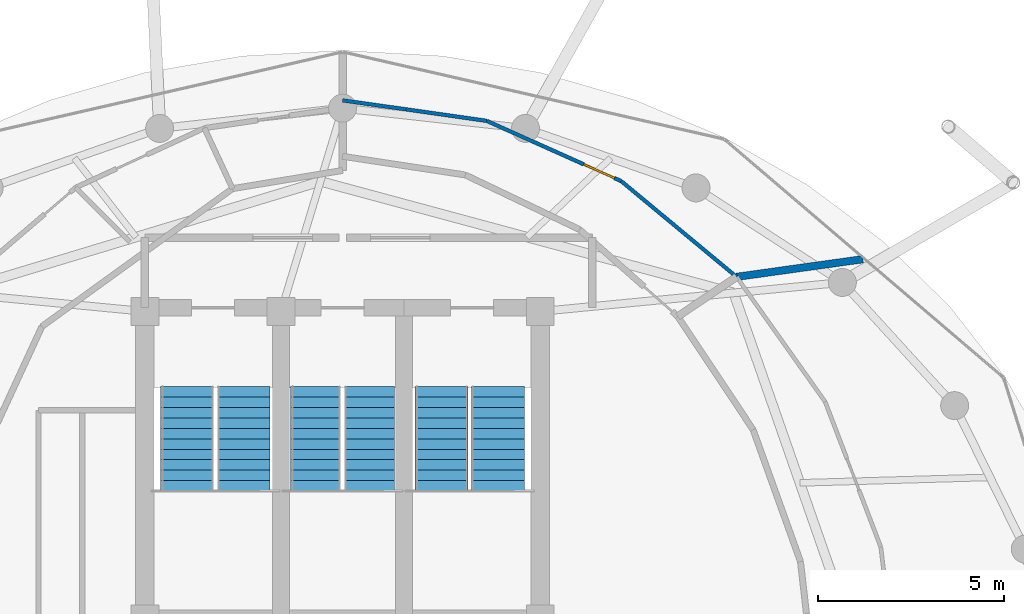
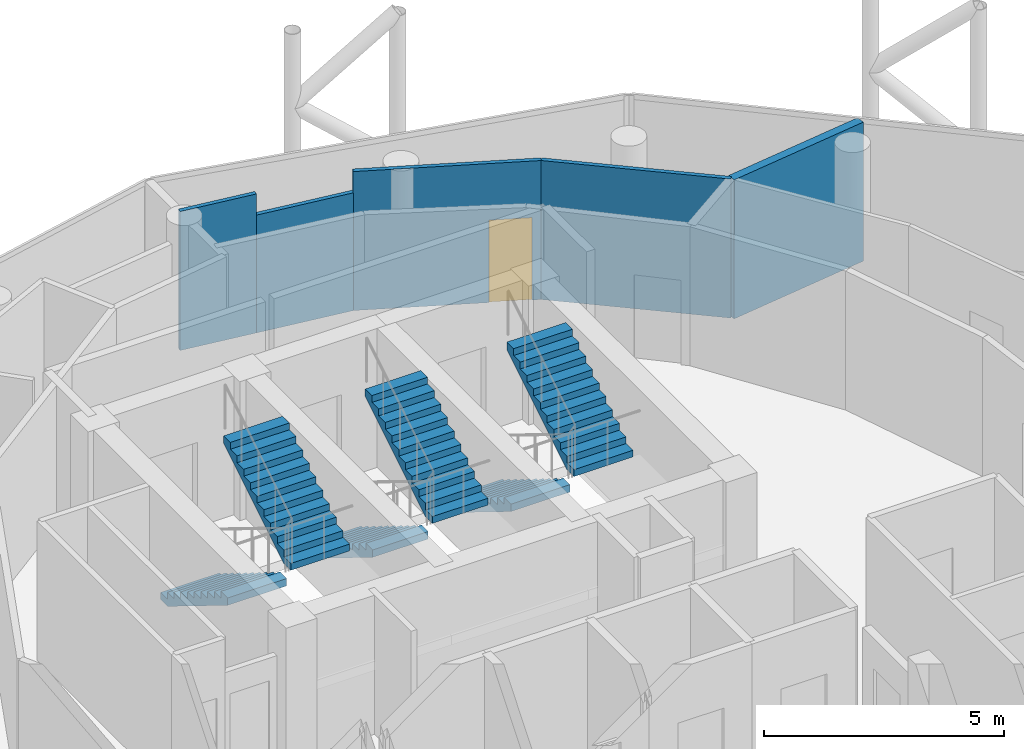
# One storey, part 23 of 24: 6 stair flights, 5 walls, 1 door, 1 opening, 3 elements without a shape of their own.
"""IFC4 building model written with IfcOpenShell, lengths in metres."""

from ifc_helpers import new_model, si_unit, direction, frame, frame_2d, origin, place, context, subcontext, project, spatial, polyline, rectangle, outline, extrude, material, layer, layer_set, type_object, element, fill, aggregate, save


model = new_model("IFC4")

# Units and contexts
model_context = context("Model", 3, precision=1e-05, world=origin(), true_north=direction((0.0, 1.0)))
body_context = subcontext(model_context, "Body", "Model", "MODEL_VIEW")
ifc_project = project(units=[si_unit("LENGTHUNIT", "METRE"), si_unit("AREAUNIT", "SQUARE_METRE"), si_unit("VOLUMEUNIT", "CUBIC_METRE"), si_unit("PLANEANGLEUNIT", "RADIAN"), si_unit("MASSUNIT", "GRAM", prefix="KILO")], contexts=[model_context])

# Site, building, storey
site_placement = place(None, origin())
site = spatial("IfcSite", under=ifc_project, at=site_placement, CompositionType="ELEMENT")
building_placement = place(site_placement, origin())
building = spatial("IfcBuilding", under=site, at=building_placement, Name="Nuhasar Tower", CompositionType="ELEMENT")
storey_placement = place(building_placement, frame((0.0, 0.0, 267.0)))
storey = spatial("IfcBuildingStorey", under=building, at=storey_placement, Name="L66", CompositionType="ELEMENT", Elevation=267.0)

# Wall
ifc_material_1 = material(Name="Aluminium 6063-T6", Category="aluminium")
ifc_layer_1 = layer(ifc_material_1, 0.10009765625)
ifc_layer_set_1 = layer_set([ifc_layer_1], Name="Aluminium 6063-T6")
wall_type_1 = type_object("IfcWallType", Name="WL-MOVABLE-100", PredefinedType="MOVABLE", material=ifc_layer_set_1)
wall_1_placement = place(storey_placement, frame((49.56396484375, 38.22705078125, 0.0), z_axis=(0.0, 0.0, 1.0), x_axis=(-0.769498838344, 0.638648211292, 0.0)))
element("IfcWall", 1, at=wall_1_placement, inside=storey, type_object=wall_type_1, Name="L66 Interior Partition UMID5-04-06", PredefinedType="MOVABLE", context=body_context, shape_type="SweptSolid", body=[
    extrude(rectangle(XDim=4.020751953125, YDim=0.10009765625, at=frame_2d((2.01025390625, 0.0))), origin(), (0.0, 0.0, 1.0), 3.5400390625),
])

# Wall, opening, door
wall_2_placement = place(storey_placement, frame((46.469970703125, 40.794921875, 0.0), z_axis=(0.0, 0.0, 1.0), x_axis=(-0.912616745569, 0.408816188166, 0.0)))
wall_2 = element("IfcWall", 2, at=wall_2_placement, inside=storey, type_object=wall_type_1, Name="L66 Interior Partition UMID5-04-08", PredefinedType="MOVABLE", context=body_context, shape_type="SweptSolid", body=[
    extrude(rectangle(XDim=3.947998046875, YDim=0.10009765625, at=frame_2d((1.97412109375, 0.0))), origin(), (0.0, 0.0, 1.0), 3.5400390625),
])
opening_placement = place(wall_2_placement, frame((0.199951171875, 0.0, 0.0)))
opening = element("IfcOpeningElement", 3, at=opening_placement, cuts=wall_2, Name="Opening DR-01", PredefinedType="OPENING", context=body_context, shape_type="SweptSolid", body=[
    extrude(rectangle(XDim=0.89990234375, YDim=2.10009765625, at=frame_2d((0.449951171875, 1.050048828125))), frame((0.0, 0.06005859375, 0.0), z_axis=(0.0, -1.0, 0.0), x_axis=(1.0, 0.0, 0.0)), (0.0, 0.0, 1.0), 0.1201171875),
])
ifc_material_2 = material(Name="Timber Oak", Category="wood")
door_type = type_object("IfcDoorType", Name="DR-ROOM-900", OperationType="NOTDEFINED", PredefinedType="DOOR", material=ifc_material_2)
door_placement = place(opening_placement, origin())
door = element("IfcDoor", 4, at=door_placement, inside=storey, type_object=door_type, Name="L66 Diplomatic Briefing Room Inner Door", OperationType="SINGLE_SWING_LEFT", OverallHeight=2.10009765625, OverallWidth=0.89990234375, PredefinedType="DOOR", context=body_context, shape_type="SweptSolid", body=[
    extrude(rectangle(XDim=0.89990234375, YDim=2.10009765625, at=frame_2d((0.449951171875, 1.050048828125))), frame((0.0, 0.02490234375, 0.0), z_axis=(0.0, -1.0, 0.0), x_axis=(1.0, 0.0, 0.0)), (0.0, 0.0, 1.0), 0.050048828125),
])
fill(opening, door)

# Walls
wall_3_placement = place(storey_placement, frame((42.866943359375, 42.408935546875, 0.0), z_axis=(0.0, 0.0, 1.0), x_axis=(-0.989971798103, 0.141265137105, 0.0)))
element("IfcWall", 5, at=wall_3_placement, inside=storey, type_object=wall_type_1, Name="L66 Interior Partition UMID5-04-10", PredefinedType="MOVABLE", context=body_context, shape_type="SweptSolid", body=[
    extrude(rectangle(XDim=2.18798828125, YDim=0.10009765625, at=frame_2d((1.093994140625, 0.0))), origin(), (0.0, 0.0, 1.0), 3.0),
])
wall_4_placement = place(storey_placement, frame((40.700927734375, 42.718017578125, 0.0), z_axis=(0.0, 0.0, 1.0), x_axis=(-0.990034575803, 0.140824496142, 0.0)))
element("IfcWall", 6, at=wall_4_placement, inside=storey, type_object=wall_type_1, Name="L66 Interior Partition UMID5-04-10", PredefinedType="MOVABLE", context=body_context, shape_type="SweptSolid", body=[
    extrude(rectangle(XDim=1.718017578125, YDim=0.10009765625, at=frame_2d((0.85888671875, 0.0))), origin(), (0.0, 0.0, 1.0), 3.5400390625),
])
ifc_material_3 = material(Name="Concrete C40/50 precast", Category="concrete")
ifc_layer_2 = layer(ifc_material_3, 0.199951171875)
ifc_layer_set_2 = layer_set([ifc_layer_2], Name="Concrete C40/50 precast")
wall_type_2 = type_object("IfcWallType", Name="WL-UNIT-200", PredefinedType="PARTITIONING", material=ifc_layer_set_2)
wall_5_placement = place(storey_placement, frame((49.56396484375, 38.22705078125, 0.0), z_axis=(0.0, 0.0, 1.0), x_axis=(0.990353701526, 0.138562425911, 0.0)))
element("IfcWall", 7, at=wall_5_placement, inside=storey, type_object=wall_type_2, Name="L66 Interior Partition URAD5-06-S2", PredefinedType="PARTITIONING", context=body_context, shape_type="SweptSolid", body=[
    extrude(rectangle(XDim=3.419921875, YDim=0.199951171875, at=frame_2d((1.7099609375, 0.0))), origin(), (0.0, 0.0, 1.0), 3.5400390625),
])

# Stair, stair flights
ifc_material_4 = material(Name="Concrete C45/55", Category="concrete")
stair_type_1 = type_object("IfcStairType", Name="STR-ST-01-2F-22R-1727", PredefinedType="HALF_TURN_STAIR", material=ifc_material_4)
stair_1_placement = place(storey_placement, origin())
stair_1 = element("IfcStair", 8, at=stair_1_placement, inside=storey, type_object=stair_type_1, Name="L66 Exit Stair ST-01", PredefinedType="HALF_TURN_STAIR")
stair_flight_type_1 = type_object("IfcStairFlightType", Name="SFL-ST-01-11R-1727", PredefinedType="STRAIGHT", material=ifc_material_4)
stair_flight_1_placement = place(storey_placement, frame((34.830078125, 35.284912109375, 0.0), z_axis=(0.0, 0.0, 1.0), x_axis=(0.0, -1.0, 0.0)))
stair_flight_1 = element("IfcStairFlight", 9, at=stair_flight_1_placement, type_object=stair_flight_type_1, Name="ST-01 flight 1", NumberOfRisers=11, NumberOfTreads=10, PredefinedType="STRAIGHT", RiserHeight=0.172727, TreadLength=0.28, context=body_context, shape_type="SweptSolid", body=[
    extrude(outline(polyline([(0.0, 0.0), (0.0, 0.172607421875), (0.280029296875, 0.172607421875), (0.280029296875, 0.345458984375), (0.56005859375, 0.345458984375), (0.56005859375, 0.51806640625), (0.840087890625, 0.51806640625), (0.840087890625, 0.69091796875), (1.1201171875, 0.69091796875), (1.1201171875, 0.863525390625), (1.39990234375, 0.863525390625), (1.39990234375, 1.036376953125), (1.679931640625, 1.036376953125), (1.679931640625, 1.208984375), (1.9599609375, 1.208984375), (1.9599609375, 1.3818359375), (2.239990234375, 1.3818359375), (2.239990234375, 1.554443359375), (2.52001953125, 1.554443359375), (2.52001953125, 1.727294921875), (2.800048828125, 1.727294921875), (2.800048828125, 1.89990234375), (2.800048828125, 1.539306640625), (0.3046875, 0.0), (0.0, 0.0)])), frame((0.0, 0.7099609375, 0.0), z_axis=(0.0, -1.0, 0.0), x_axis=(1.0, 0.0, 0.0)), (0.0, 0.0, 1.0), 1.419921875),
])
stair_flight_2_placement = place(storey_placement, frame((36.35009765625, 32.485107421875, 1.89990234375), z_axis=(0.0, 0.0, 1.0), x_axis=(0.0, 1.0, 0.0)))
stair_flight_2 = element("IfcStairFlight", 10, at=stair_flight_2_placement, type_object=stair_flight_type_1, Name="ST-01 flight 2", NumberOfRisers=11, NumberOfTreads=10, PredefinedType="STRAIGHT", RiserHeight=0.172727, TreadLength=0.28, context=body_context, shape_type="SweptSolid", body=[
    extrude(outline(polyline([(0.0, 0.0), (0.0, 0.172607421875), (0.280029296875, 0.172607421875), (0.280029296875, 0.345458984375), (0.56005859375, 0.345458984375), (0.56005859375, 0.51806640625), (0.840087890625, 0.51806640625), (0.840087890625, 0.69091796875), (1.1201171875, 0.69091796875), (1.1201171875, 0.863525390625), (1.39990234375, 0.863525390625), (1.39990234375, 1.036376953125), (1.679931640625, 1.036376953125), (1.679931640625, 1.208984375), (1.9599609375, 1.208984375), (1.9599609375, 1.3818359375), (2.239990234375, 1.3818359375), (2.239990234375, 1.554443359375), (2.52001953125, 1.554443359375), (2.52001953125, 1.727294921875), (2.800048828125, 1.727294921875), (2.800048828125, 1.89990234375), (2.800048828125, 1.539306640625), (0.3046875, 0.0), (0.0, 0.0)])), frame((0.0, 0.7099609375, 0.0), z_axis=(0.0, -1.0, 0.0), x_axis=(1.0, 0.0, 0.0)), (0.0, 0.0, 1.0), 1.419921875),
])
aggregate(stair_1, [stair_flight_1, stair_flight_2])

stair_type_2 = type_object("IfcStairType", Name="STR-ST-02-2F-22R-1727", PredefinedType="HALF_TURN_STAIR", material=ifc_material_4)
stair_2_placement = place(storey_placement, origin())
stair_2 = element("IfcStair", 11, at=stair_2_placement, inside=storey, type_object=stair_type_2, Name="L66 Exit Stair ST-02", PredefinedType="HALF_TURN_STAIR")
stair_flight_type_2 = type_object("IfcStairFlightType", Name="SFL-ST-02-11R-1727", PredefinedType="STRAIGHT", material=ifc_material_4)
stair_flight_3_placement = place(storey_placement, frame((41.64990234375, 35.284912109375, 0.0), z_axis=(0.0, 0.0, 1.0), x_axis=(0.0, -1.0, 0.0)))
stair_flight_3 = element("IfcStairFlight", 12, at=stair_flight_3_placement, type_object=stair_flight_type_2, Name="ST-02 flight 1", NumberOfRisers=11, NumberOfTreads=10, PredefinedType="STRAIGHT", RiserHeight=0.172727, TreadLength=0.28, context=body_context, shape_type="SweptSolid", body=[
    extrude(outline(polyline([(0.0, 0.0), (0.0, 0.172607421875), (0.280029296875, 0.172607421875), (0.280029296875, 0.345458984375), (0.56005859375, 0.345458984375), (0.56005859375, 0.51806640625), (0.840087890625, 0.51806640625), (0.840087890625, 0.69091796875), (1.1201171875, 0.69091796875), (1.1201171875, 0.863525390625), (1.39990234375, 0.863525390625), (1.39990234375, 1.036376953125), (1.679931640625, 1.036376953125), (1.679931640625, 1.208984375), (1.9599609375, 1.208984375), (1.9599609375, 1.3818359375), (2.239990234375, 1.3818359375), (2.239990234375, 1.554443359375), (2.52001953125, 1.554443359375), (2.52001953125, 1.727294921875), (2.800048828125, 1.727294921875), (2.800048828125, 1.89990234375), (2.800048828125, 1.539306640625), (0.3046875, 0.0), (0.0, 0.0)])), frame((0.0, 0.7099609375, 0.0), z_axis=(0.0, -1.0, 0.0), x_axis=(1.0, 0.0, 0.0)), (0.0, 0.0, 1.0), 1.419921875),
])
stair_flight_4_placement = place(storey_placement, frame((43.169921875, 32.485107421875, 1.89990234375), z_axis=(0.0, 0.0, 1.0), x_axis=(0.0, 1.0, 0.0)))
stair_flight_4 = element("IfcStairFlight", 13, at=stair_flight_4_placement, type_object=stair_flight_type_2, Name="ST-02 flight 2", NumberOfRisers=11, NumberOfTreads=10, PredefinedType="STRAIGHT", RiserHeight=0.172727, TreadLength=0.28, context=body_context, shape_type="SweptSolid", body=[
    extrude(outline(polyline([(0.0, 0.0), (0.0, 0.172607421875), (0.280029296875, 0.172607421875), (0.280029296875, 0.345458984375), (0.56005859375, 0.345458984375), (0.56005859375, 0.51806640625), (0.840087890625, 0.51806640625), (0.840087890625, 0.69091796875), (1.1201171875, 0.69091796875), (1.1201171875, 0.863525390625), (1.39990234375, 0.863525390625), (1.39990234375, 1.036376953125), (1.679931640625, 1.036376953125), (1.679931640625, 1.208984375), (1.9599609375, 1.208984375), (1.9599609375, 1.3818359375), (2.239990234375, 1.3818359375), (2.239990234375, 1.554443359375), (2.52001953125, 1.554443359375), (2.52001953125, 1.727294921875), (2.800048828125, 1.727294921875), (2.800048828125, 1.89990234375), (2.800048828125, 1.539306640625), (0.3046875, 0.0), (0.0, 0.0)])), frame((0.0, 0.7099609375, 0.0), z_axis=(0.0, -1.0, 0.0), x_axis=(1.0, 0.0, 0.0)), (0.0, 0.0, 1.0), 1.419921875),
])
aggregate(stair_2, [stair_flight_3, stair_flight_4])

stair_type_3 = type_object("IfcStairType", Name="STR-ST-03-2F-22R-1727", PredefinedType="HALF_TURN_STAIR", material=ifc_material_4)
stair_3_placement = place(storey_placement, origin())
stair_3 = element("IfcStair", 14, at=stair_3_placement, inside=storey, type_object=stair_type_3, Name="L66 Exit Stair ST-03", PredefinedType="HALF_TURN_STAIR")
stair_flight_type_3 = type_object("IfcStairFlightType", Name="SFL-ST-03-11R-1727", PredefinedType="STRAIGHT", material=ifc_material_4)
stair_flight_5_placement = place(storey_placement, frame((38.280029296875, 35.284912109375, 0.0), z_axis=(0.0, 0.0, 1.0), x_axis=(0.0, -1.0, 0.0)))
stair_flight_5 = element("IfcStairFlight", 15, at=stair_flight_5_placement, type_object=stair_flight_type_3, Name="ST-03 flight 1", NumberOfRisers=11, NumberOfTreads=10, PredefinedType="STRAIGHT", RiserHeight=0.172727, TreadLength=0.28, context=body_context, shape_type="SweptSolid", body=[
    extrude(outline(polyline([(0.0, 0.0), (0.0, 0.172607421875), (0.280029296875, 0.172607421875), (0.280029296875, 0.345458984375), (0.56005859375, 0.345458984375), (0.56005859375, 0.51806640625), (0.840087890625, 0.51806640625), (0.840087890625, 0.69091796875), (1.1201171875, 0.69091796875), (1.1201171875, 0.863525390625), (1.39990234375, 0.863525390625), (1.39990234375, 1.036376953125), (1.679931640625, 1.036376953125), (1.679931640625, 1.208984375), (1.9599609375, 1.208984375), (1.9599609375, 1.3818359375), (2.239990234375, 1.3818359375), (2.239990234375, 1.554443359375), (2.52001953125, 1.554443359375), (2.52001953125, 1.727294921875), (2.800048828125, 1.727294921875), (2.800048828125, 1.89990234375), (2.800048828125, 1.539306640625), (0.3046875, 0.0), (0.0, 0.0)])), frame((0.0, 0.669921875, 0.0), z_axis=(0.0, -1.0, 0.0), x_axis=(1.0, 0.0, 0.0)), (0.0, 0.0, 1.0), 1.340087890625),
])
stair_flight_6_placement = place(storey_placement, frame((39.719970703125, 32.485107421875, 1.89990234375), z_axis=(0.0, 0.0, 1.0), x_axis=(0.0, 1.0, 0.0)))
stair_flight_6 = element("IfcStairFlight", 16, at=stair_flight_6_placement, type_object=stair_flight_type_3, Name="ST-03 flight 2", NumberOfRisers=11, NumberOfTreads=10, PredefinedType="STRAIGHT", RiserHeight=0.172727, TreadLength=0.28, context=body_context, shape_type="SweptSolid", body=[
    extrude(outline(polyline([(0.0, 0.0), (0.0, 0.172607421875), (0.280029296875, 0.172607421875), (0.280029296875, 0.345458984375), (0.56005859375, 0.345458984375), (0.56005859375, 0.51806640625), (0.840087890625, 0.51806640625), (0.840087890625, 0.69091796875), (1.1201171875, 0.69091796875), (1.1201171875, 0.863525390625), (1.39990234375, 0.863525390625), (1.39990234375, 1.036376953125), (1.679931640625, 1.036376953125), (1.679931640625, 1.208984375), (1.9599609375, 1.208984375), (1.9599609375, 1.3818359375), (2.239990234375, 1.3818359375), (2.239990234375, 1.554443359375), (2.52001953125, 1.554443359375), (2.52001953125, 1.727294921875), (2.800048828125, 1.727294921875), (2.800048828125, 1.89990234375), (2.800048828125, 1.539306640625), (0.3046875, 0.0), (0.0, 0.0)])), frame((0.0, 0.669921875, 0.0), z_axis=(0.0, -1.0, 0.0), x_axis=(1.0, 0.0, 0.0)), (0.0, 0.0, 1.0), 1.340087890625),
])
aggregate(stair_3, [stair_flight_5, stair_flight_6])

save(model, "model.ifc")
